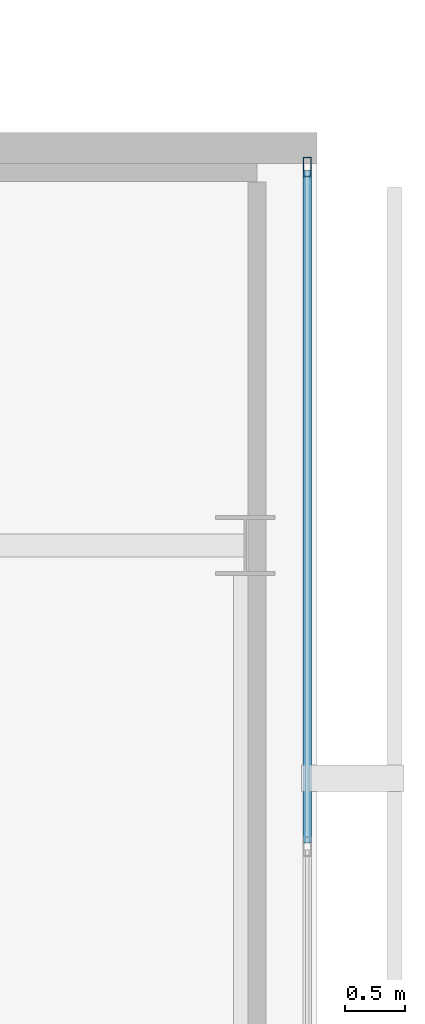
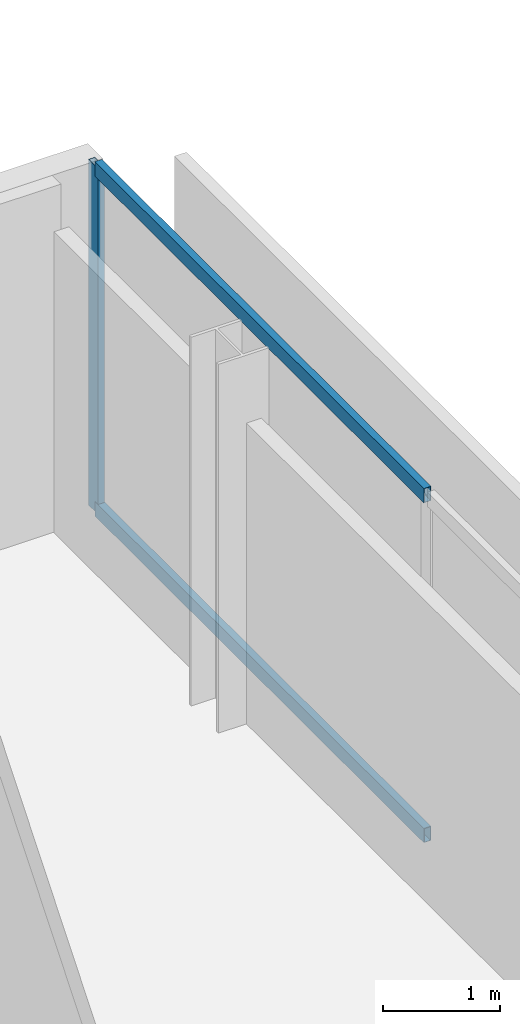
# One storey, part 15 of 23: 3 members, 1 element without a shape of its own.
"""IFC4 building model written with IfcOpenShell, lengths in metres."""

import ifcopenshell
import ifcopenshell.guid

model = None  # the IFC model being written
_history = None  # IfcOwnerHistory: only IFC2X3 demands one
_inside = {}  # id of a spatial element -> (the spatial element, [elements in it])
_under = {}  # id of a project, library or spatial element -> (it, [spatial elements below it])
_declared = {}  # id of a project -> (the project, [libraries it declares])
_typed = {}  # id of a type object -> (the type object, [elements of that type])
_made_of = {}  # id of a material, layer set ... -> (it, [elements and type objects made of it])


def new_model(schema):
    """Start an empty IFC model of exactly this schema.

    Asked for "IFC4X3", IfcOpenShell would pick the latest addendum, in which some entities
    have other attributes; the version numbers below select the first issue.
    IFC2X3 requires an IfcOwnerHistory on every rooted entity: one is made here for all.
    """
    global model, _history
    if schema == "IFC4X3":
        model = ifcopenshell.file(schema_version=(4, 3, 0, 0))
    else:
        model = ifcopenshell.file(schema=schema)
    _inside.clear()
    _under.clear()
    _declared.clear()
    _typed.clear()
    _made_of.clear()
    _history = None
    if model.schema == "IFC2X3":
        org = make("IfcOrganization", Name="unknown")
        user = make(
            "IfcPersonAndOrganization",
            ThePerson=make("IfcPerson", FamilyName="unknown"),
            TheOrganization=org,
        )
        app = make(
            "IfcApplication",
            ApplicationDeveloper=org,
            Version="unknown",
            ApplicationFullName="unknown",
            ApplicationIdentifier="unknown",
        )
        _history = make(
            "IfcOwnerHistory",
            OwningUser=user,
            OwningApplication=app,
            ChangeAction="ADDED",
            CreationDate=0,
        )
    return model


def make(cls, **values):
    """One entity of the class cls with the attributes given. An attribute that is None is left unset."""
    return model.create_entity(
        cls, **{name: value for name, value in values.items() if value is not None}
    )


def rooted(cls, **values):
    """An entity with a GlobalId (a new one), such as an element, a storey or a relation."""
    return make(cls, GlobalId=ifcopenshell.guid.new(), OwnerHistory=_history, **values)


def si_unit(unit_type, name, prefix=None):
    """IfcSIUnit, for example si_unit("LENGTHUNIT", "METRE", prefix="MILLI")."""
    return make("IfcSIUnit", UnitType=unit_type, Prefix=prefix, Name=name)


def assignment(units):
    """IfcUnitAssignment: the units of a project."""
    return None if units is None else make("IfcUnitAssignment", Units=units)


def point(xyz):
    """IfcCartesianPoint."""
    return None if xyz is None else make("IfcCartesianPoint", Coordinates=xyz)


def direction(xyz):
    """IfcDirection."""
    return None if xyz is None else make("IfcDirection", DirectionRatios=xyz)


def frame(location, z_axis=None, x_axis=None):
    """IfcAxis2Placement3D, a coordinate frame: its origin and axes. An axis left out is left unset."""
    return make(
        "IfcAxis2Placement3D",
        Location=point(location),
        Axis=direction(z_axis),
        RefDirection=direction(x_axis),
    )


def frame_2d(location, x_axis=None):
    """IfcAxis2Placement2D, a coordinate frame in the plane: its origin and x axis."""
    return make(
        "IfcAxis2Placement2D", Location=point(location), RefDirection=direction(x_axis)
    )


def origin():
    """The frame at (0, 0, 0) with its axes left unset."""
    return frame((0.0, 0.0, 0.0))


def origin_2d():
    """The frame at (0, 0) in the plane with its x axis left unset."""
    return frame_2d((0.0, 0.0))


def place(relative_to, where):
    """IfcLocalPlacement: puts the frame where relative to a parent placement (None: the world)."""
    return make(
        "IfcLocalPlacement", PlacementRelTo=relative_to, RelativePlacement=where
    )


def context(
    kind, dimensions, precision=None, world=None, true_north=None, identifier=None
):
    """IfcGeometricRepresentationContext, for example the 3D "Model" context."""
    return make(
        "IfcGeometricRepresentationContext",
        ContextIdentifier=identifier,
        ContextType=kind,
        CoordinateSpaceDimension=dimensions,
        Precision=precision,
        WorldCoordinateSystem=world,
        TrueNorth=true_north,
    )


def subcontext(parent, identifier, kind, view, scale=None):
    """IfcGeometricRepresentationSubContext, for example "Body" below "Model"."""
    return make(
        "IfcGeometricRepresentationSubContext",
        ContextIdentifier=identifier,
        ContextType=kind,
        ParentContext=parent,
        TargetScale=scale,
        TargetView=view,
    )


def project(units=None, contexts=None):
    """IfcProject with its units and contexts."""
    return rooted(
        "IfcProject",
        Name="project",
        RepresentationContexts=contexts,
        UnitsInContext=assignment(units),
    )


def spatial(cls, under=None, at=None, **own):
    """A site, building, storey or space (cls), placed at a placement, below another one or the project."""
    s = rooted(cls, ObjectPlacement=at, **own)
    if under is not None:
        _under.setdefault(under.id(), (under, []))[1].append(s)
    return s


def profile(cls, at=None, kind="AREA", **sizes):
    """A parametric profile (cls). Its sizes go by their IFC names, for example OverallWidth=200.0."""
    return make(cls, ProfileType=kind, Position=at, **sizes)


def hollow_rectangle(**sizes):
    """IfcRectangleHollowProfileDef."""
    return profile("IfcRectangleHollowProfileDef", **sizes)


def extrude(swept, where, along, depth):
    """IfcExtrudedAreaSolid: the profile swept, set in the frame where, extruded along a direction by depth."""
    return make(
        "IfcExtrudedAreaSolid",
        SweptArea=swept,
        Position=where,
        ExtrudedDirection=direction(along),
        Depth=depth,
    )


def shape(context_of_items, identifier, shape_type, items):
    """IfcShapeRepresentation: the items that make up one representation, for example the "Body"."""
    return make(
        "IfcShapeRepresentation",
        ContextOfItems=context_of_items,
        RepresentationIdentifier=identifier,
        RepresentationType=shape_type,
        Items=items,
    )


def material(Name=None, Category=None):
    """IfcMaterial."""
    return make("IfcMaterial", Name=Name, Category=Category)


def layer(
    of_material, thickness, ventilated=None, Name=None, Category=None, Priority=None
):
    """IfcMaterialLayer: one layer of a wall or slab, of a material (None: an air gap)."""
    return make(
        "IfcMaterialLayer",
        Material=of_material,
        LayerThickness=thickness,
        IsVentilated=ventilated,
        Name=Name,
        Category=Category,
        Priority=Priority,
    )


def layer_set(layers, Name=None):
    """IfcMaterialLayerSet."""
    return make("IfcMaterialLayerSet", MaterialLayers=layers, LayerSetName=Name)


def material_profile(
    of_material, cross_section, Name=None, Category=None, Priority=None
):
    """IfcMaterialProfile: a cross section and its material."""
    return make(
        "IfcMaterialProfile",
        Name=Name,
        Material=of_material,
        Profile=cross_section,
        Priority=Priority,
        Category=Category,
    )


def profile_set(profiles, Name=None, composite=None):
    """IfcMaterialProfileSet."""
    return make(
        "IfcMaterialProfileSet",
        Name=Name,
        MaterialProfiles=profiles,
        CompositeProfile=composite,
    )


def made_of(thing, what):
    """Note that an element or type object is made of a material, layer set ...; save() writes the relation."""
    if what is not None:
        _made_of.setdefault(what.id(), (what, []))[1].append(thing)
    return thing


def type_object(cls, material=None, **own):
    """A type object (cls), such as IfcWallType, which elements share."""
    return made_of(rooted(cls, **own), material)


def element(
    cls,
    number,
    at=None,
    inside=None,
    cuts=None,
    type_object=None,
    material=None,
    context=None,
    identifier="Body",
    shape_type=None,
    held_by="IfcProductDefinitionShape",
    body=None,
    shapes=None,
    **own,
):
    """One element of the class cls, such as IfcWall. Its Tag is "e" and its number.

    at: its placement. inside: the storey or other place that contains it. cuts: it is an
    opening in that element (IfcRelVoidsElement). A single representation is given by context,
    identifier, shape_type and body (its items); several are given by shapes. held_by: the class
    of the entity that holds the representations. save() writes the other relations.
    """
    e = rooted(cls, Tag="e%d" % number, ObjectPlacement=at, **own)
    if body is not None:
        shapes = [shape(context, identifier, shape_type, body)]
    if shapes is not None:
        e.Representation = make(held_by, Representations=shapes)
    if inside is not None:
        _inside.setdefault(inside.id(), (inside, []))[1].append(e)
    if cuts is not None:
        rooted(
            "IfcRelVoidsElement", RelatingBuildingElement=cuts, RelatedOpeningElement=e
        )
    if type_object is not None:
        _typed.setdefault(type_object.id(), (type_object, []))[1].append(e)
    return made_of(e, material)


def aggregate(whole, parts):
    """IfcRelAggregates: a whole, such as a stair, and the parts it consists of."""
    return rooted("IfcRelAggregates", RelatingObject=whole, RelatedObjects=parts)


def save(model, path):
    """Write the relations noted so far, then the file.

    IfcRelAggregates (storeys below a building ...), IfcRelContainedInSpatialStructure (elements
    in a storey), IfcRelDefinesByType, IfcRelAssociatesMaterial and IfcRelDeclares: one each for
    every whole, place, type object, material and project.
    """
    for whole, parts in _under.values():
        aggregate(whole, parts)
    for where, things in _inside.values():
        rooted(
            "IfcRelContainedInSpatialStructure",
            RelatedElements=things,
            RelatingStructure=where,
        )
    for kind, things in _typed.values():
        rooted("IfcRelDefinesByType", RelatedObjects=things, RelatingType=kind)
    for what, things in _made_of.values():
        rooted("IfcRelAssociatesMaterial", RelatedObjects=things, RelatingMaterial=what)
    for by, libraries in _declared.values():
        rooted("IfcRelDeclares", RelatingContext=by, RelatedDefinitions=libraries)
    model.write(path)


model = new_model("IFC4")

# Units and contexts
model_context = context("Model", 3, precision=1e-05, world=origin(), true_north=direction((0.0, 1.0)))
body_context = subcontext(model_context, "Body", "Model", "MODEL_VIEW")
ifc_project = project(units=[si_unit("LENGTHUNIT", "METRE"), si_unit("AREAUNIT", "SQUARE_METRE"), si_unit("VOLUMEUNIT", "CUBIC_METRE"), si_unit("PLANEANGLEUNIT", "RADIAN"), si_unit("MASSUNIT", "GRAM", prefix="KILO")], contexts=[model_context])

# Site, building, storey
site_placement = place(None, origin())
site = spatial("IfcSite", under=ifc_project, at=site_placement, CompositionType="ELEMENT")
building_placement = place(site_placement, origin())
building = spatial("IfcBuilding", under=site, at=building_placement, Name="Maruvema Waterfront Hotel and Observation Tower", CompositionType="ELEMENT")
storey_placement = place(building_placement, frame((0.0, 0.0, 337.39990234375)))
storey = spatial("IfcBuildingStorey", under=building, at=storey_placement, Name="L83", CompositionType="ELEMENT", Elevation=337.39990234375)

# Curtain wall, members
ifc_material_1 = material(Name="Anodised bronze aluminium and solar-control low-E IGU", Category="aluminium")
ifc_layer = layer(ifc_material_1, 0.159912109375, Name="Zone 4 Sky Residence Inner Curtain Wall System CW-05")
ifc_layer_set = layer_set([ifc_layer], Name="Anodised bronze aluminium and solar-control low-E IGU")
curtain_wall_type = type_object("IfcCurtainWallType", Name="Zone 4 Sky Residence Inner Curtain Wall System CW-05", PredefinedType="USERDEFINED", material=ifc_layer_set)
curtain_wall_placement = place(storey_placement, origin())
curtain_wall = element("IfcCurtainWall", 1, at=curtain_wall_placement, inside=storey, type_object=curtain_wall_type, Name="L83 Curtain Wall CW-L83-E", ObjectType="UNITISED CURTAIN WALL", PredefinedType="USERDEFINED")
ifc_material_2 = material(Name="Anodised architectural bronze aluminium", Category="aluminium")
ifc_material_profile_1 = material_profile(ifc_material_2, hollow_rectangle(XDim=0.070068359375, YDim=0.14990234375, WallThickness=0.00390625, at=origin_2d()), Name="ALU-T70x150")
ifc_profile_set_1 = profile_set([ifc_material_profile_1], Name="Anodised architectural bronze aluminium")
member_type_1 = type_object("IfcMemberType", Name="Curtain Wall Horizontal Transom ALU-T70x150", PredefinedType="USERDEFINED", material=ifc_profile_set_1)
member_1_placement = place(storey_placement, frame((57.820068359375, 42.510009765625, 0.030029296875), z_axis=(0.0, 1.0, 0.0), x_axis=(-1.0, 0.0, 0.0)))
member_1 = element("IfcMember", 2, at=member_1_placement, type_object=member_type_1, Name="CW-05 transom 5.1", ObjectType="TRANSOM", PredefinedType="USERDEFINED", context=body_context, shape_type="SweptSolid", body=[
    extrude(hollow_rectangle(XDim=0.070068359375, YDim=0.14990234375, WallThickness=0.00390625, at=origin_2d()), origin(), (0.0, 0.0, 1.0), 5.6298828125),
])
member_2_placement = place(storey_placement, frame((57.820068359375, 42.510009765625, 3.580078125), z_axis=(0.0, 1.0, 0.0), x_axis=(-1.0, 0.0, 0.0)))
member_2 = element("IfcMember", 3, at=member_2_placement, type_object=member_type_1, Name="CW-05 transom 5.2", ObjectType="TRANSOM", PredefinedType="USERDEFINED", context=body_context, shape_type="SweptSolid", body=[
    extrude(hollow_rectangle(XDim=0.070068359375, YDim=0.14990234375, WallThickness=0.00390625, at=origin_2d()), origin(), (0.0, 0.0, 1.0), 5.6298828125),
])
ifc_material_3 = material(Name="Anodised architectural bronze aluminium", Category="aluminium")
ifc_material_profile_2 = material_profile(ifc_material_3, hollow_rectangle(XDim=0.06494140625, YDim=0.1650390625, WallThickness=0.00390625, at=origin_2d()), Name="ALU-M65x165")
ifc_profile_set_2 = profile_set([ifc_material_profile_2], Name="Anodised architectural bronze aluminium")
member_type_2 = type_object("IfcMemberType", Name="Curtain Wall Primary Mullion ALU-M65x165", PredefinedType="MULLION", material=ifc_profile_set_2)
member_3_placement = place(storey_placement, frame((57.820068359375, 48.169921875, 0.0), z_axis=(0.0, 0.0, 1.0), x_axis=(-1.0, 0.0, 0.0)))
member_3 = element("IfcMember", 4, at=member_3_placement, type_object=member_type_2, Name="CW-05 mullion 6", PredefinedType="MULLION", context=body_context, shape_type="SweptSolid", body=[
    extrude(hollow_rectangle(XDim=0.06494140625, YDim=0.1650390625, WallThickness=0.00390625, at=origin_2d()), origin(), (0.0, 0.0, 1.0), 3.610107421875),
])
aggregate(curtain_wall, [member_3, member_1, member_2])

save(model, "model.ifc")
